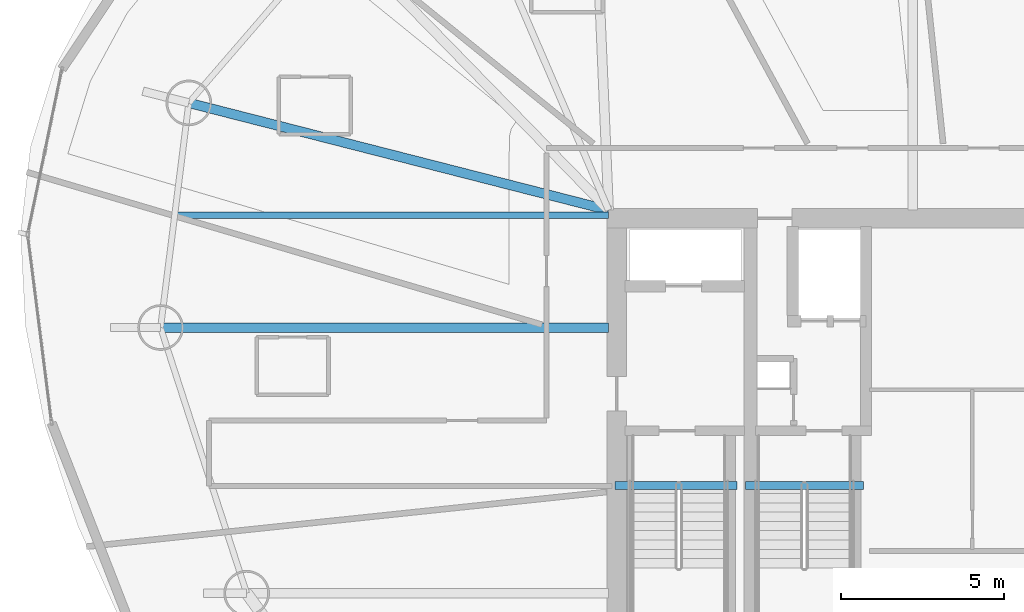
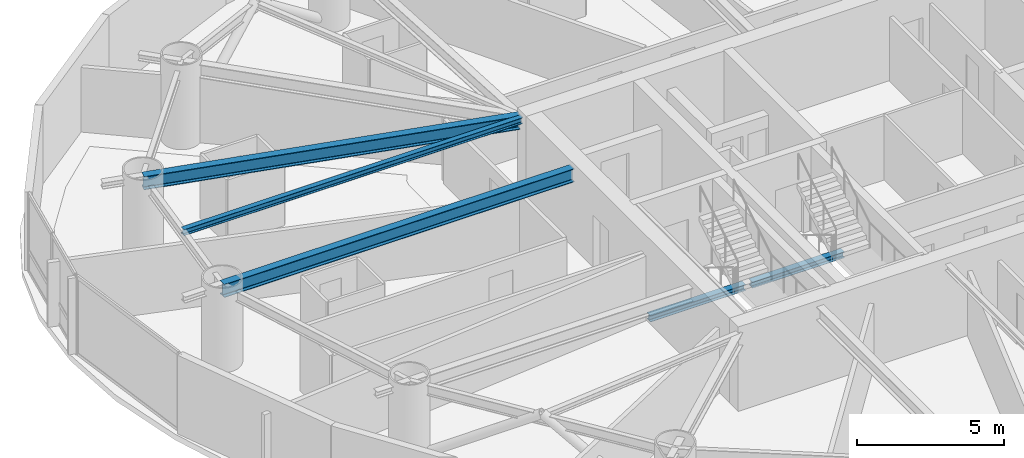
# One storey, part 7 of 26: 5 beams.
"""IFC4 building model written with IfcOpenShell, lengths in metres."""

from ifc_helpers import new_model, si_unit, direction, frame, origin, origin_2d, place, context, subcontext, project, spatial, i_section, extrude, material, material_profile, profile_set, type_object, element, save


model = new_model("IFC4")

# Units and contexts
model_context = context("Model", 3, precision=1e-05, world=origin(), true_north=direction((0.0, 1.0)))
body_context = subcontext(model_context, "Body", "Model", "MODEL_VIEW")
ifc_project = project(units=[si_unit("LENGTHUNIT", "METRE"), si_unit("AREAUNIT", "SQUARE_METRE"), si_unit("VOLUMEUNIT", "CUBIC_METRE"), si_unit("PLANEANGLEUNIT", "RADIAN"), si_unit("MASSUNIT", "GRAM", prefix="KILO")], contexts=[model_context])

# Site, building, storey
site_placement = place(None, origin())
site = spatial("IfcSite", under=ifc_project, at=site_placement, CompositionType="ELEMENT")
building_placement = place(site_placement, origin())
building = spatial("IfcBuilding", under=site, at=building_placement, Name="Bramvorn Convention Spire", CompositionType="ELEMENT")
storey_placement = place(building_placement, frame((0.0, 0.0, 123.800048828125)))
storey = spatial("IfcBuildingStorey", under=building, at=storey_placement, Name="L30", CompositionType="ELEMENT", Elevation=123.800048828125)

# Beams
ifc_material = material(Name="Steel CSA G40.21 Grade 350 (350W)", Category="steel")
ifc_material_profile_1 = material_profile(ifc_material, i_section(OverallWidth=0.201904296875, OverallDepth=0.2470703125, WebThickness=0.00732421875, FlangeThickness=0.010986328125, FilletRadius=0.011962890625, at=origin_2d()))
ifc_profile_set_1 = profile_set([ifc_material_profile_1], Name="Steel CSA G40.21 Grade 350 (350W) - W250X49")
beam_type_1 = type_object("IfcBeamType", Name="BM-W250X49", PredefinedType="JOIST", material=ifc_profile_set_1)
beam_1_placement = place(storey_placement, frame((26.75, 33.294921875, 3.136474609375), z_axis=(-1.0, 0.0, 0.0), x_axis=(0.0, -1.0, 0.0)))
element("IfcBeam", 1, at=beam_1_placement, inside=storey, type_object=beam_type_1, Name="L30 composite floor joist 09", PredefinedType="JOIST", context=body_context, shape_type="SweptSolid", body=[
    extrude(i_section(OverallWidth=0.201904296875, OverallDepth=0.2470703125, WebThickness=0.00732421875, FlangeThickness=0.010986328125, FilletRadius=0.011962890625, at=origin_2d()), origin(), (0.0, 0.0, 1.0), 13.30078125),
])
ifc_material_profile_2 = material_profile(ifc_material, i_section(OverallWidth=0.25390625, OverallDepth=0.2529296875, WebThickness=0.008544921875, FlangeThickness=0.01416015625, FilletRadius=0.011962890625, at=origin_2d()))
ifc_profile_set_2 = profile_set([ifc_material_profile_2], Name="Steel CSA G40.21 Grade 350 (350W) - W250X73")
beam_type_2 = type_object("IfcBeamType", Name="BM-W250X73", PredefinedType="BEAM", material=ifc_profile_set_2)
beam_2_placement = place(storey_placement, frame((26.949951171875, 25.010009765625, -0.12646484375), z_axis=(1.0, 0.0, 0.0), x_axis=(0.0, 1.0, 0.0)))
element("IfcBeam", 2, at=beam_2_placement, inside=storey, type_object=beam_type_2, Name="L30 ST1 stair arrival header beam", PredefinedType="BEAM", context=body_context, shape_type="SweptSolid", body=[
    extrude(i_section(OverallWidth=0.25390625, OverallDepth=0.2529296875, WebThickness=0.008544921875, FlangeThickness=0.01416015625, FilletRadius=0.011962890625, at=origin_2d()), origin(), (0.0, 0.0, 1.0), 3.739990234375),
])
beam_3_placement = place(storey_placement, frame((30.949951171875, 25.010009765625, -0.12646484375), z_axis=(1.0, 0.0, 0.0), x_axis=(0.0, 1.0, 0.0)))
element("IfcBeam", 3, at=beam_3_placement, inside=storey, type_object=beam_type_2, Name="L30 ST3 stair arrival header beam", PredefinedType="BEAM", context=body_context, shape_type="SweptSolid", body=[
    extrude(i_section(OverallWidth=0.25390625, OverallDepth=0.2529296875, WebThickness=0.008544921875, FlangeThickness=0.01416015625, FilletRadius=0.011962890625, at=origin_2d()), origin(), (0.0, 0.0, 1.0), 3.610107421875),
])
ifc_material_profile_3 = material_profile(ifc_material, i_section(OverallWidth=0.2919921875, OverallDepth=0.551025390625, WebThickness=0.01513671875, FlangeThickness=0.0244140625, FilletRadius=0.01904296875, at=origin_2d()))
ifc_profile_set_3 = profile_set([ifc_material_profile_3], Name="Steel CSA G40.21 Grade 350 (350W) - W530X182")
beam_type_3 = type_object("IfcBeamType", Name="BM-W530X182", PredefinedType="BEAM", material=ifc_profile_set_3)
beam_4_placement = place(storey_placement, frame((26.75, 33.449951171875, 2.984375), z_axis=(-0.968872976577, 0.247558387576, 0.0), x_axis=(-0.247558387576, -0.968872976577, 0.0)))
element("IfcBeam", 4, at=beam_4_placement, inside=storey, type_object=beam_type_3, Name="L30 radial floor girder MC09", PredefinedType="BEAM", context=body_context, shape_type="SweptSolid", body=[
    extrude(i_section(OverallWidth=0.2919921875, OverallDepth=0.551025390625, WebThickness=0.01513671875, FlangeThickness=0.0244140625, FilletRadius=0.01904296875, at=origin_2d()), origin(), (0.0, 0.0, 1.0), 13.281005859375),
])
beam_5_placement = place(storey_placement, frame((26.75, 29.851806640625, 2.984375), z_axis=(-1.0, 0.0, 0.0), x_axis=(0.0, -1.0, 0.0)))
element("IfcBeam", 5, at=beam_5_placement, inside=storey, type_object=beam_type_3, Name="L30 radial floor girder MC10", PredefinedType="BEAM", context=body_context, shape_type="SweptSolid", body=[
    extrude(i_section(OverallWidth=0.2919921875, OverallDepth=0.551025390625, WebThickness=0.01513671875, FlangeThickness=0.0244140625, FilletRadius=0.01904296875, at=origin_2d()), origin(), (0.0, 0.0, 1.0), 13.733642578125),
])

save(model, "model.ifc")
